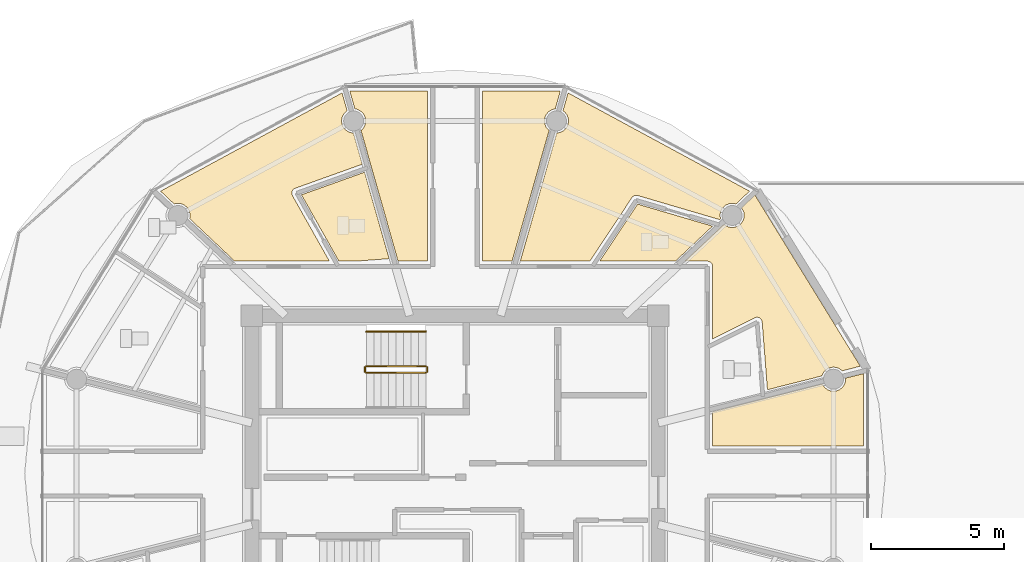
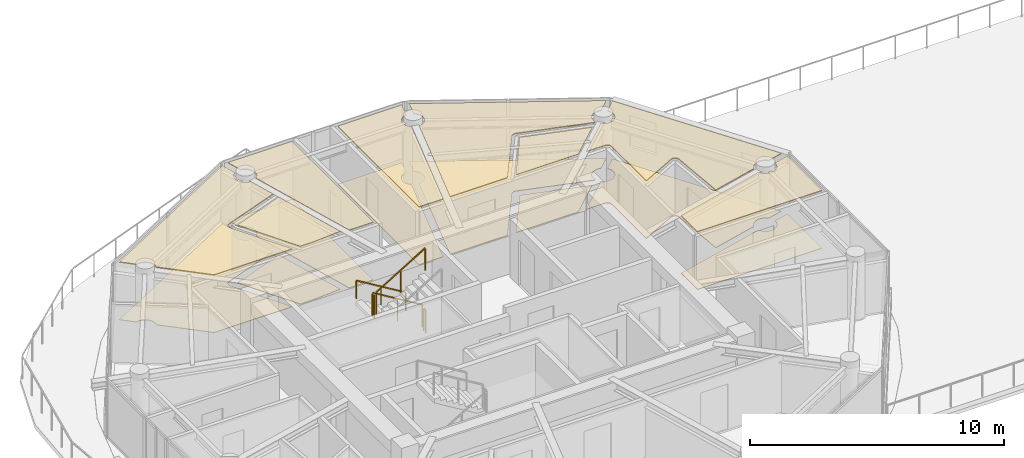
# One storey, part 23 of 30: 16 coverings, 5 railings.
"""IFC4 building model written with IfcOpenShell, lengths in metres."""

from ifc_helpers import new_model, si_unit, direction, frame, origin, origin_2d, place, context, subcontext, project, spatial, polyline, rectangle, outline, extrude, material, layer, layer_set, type_object, element, save


model = new_model("IFC4")

# Units and contexts
model_context = context("Model", 3, precision=1e-05, world=origin(), true_north=direction((0.0, 1.0)))
body_context = subcontext(model_context, "Body", "Model", "MODEL_VIEW")
ifc_project = project(units=[si_unit("LENGTHUNIT", "METRE"), si_unit("AREAUNIT", "SQUARE_METRE"), si_unit("VOLUMEUNIT", "CUBIC_METRE"), si_unit("PLANEANGLEUNIT", "RADIAN"), si_unit("MASSUNIT", "GRAM", prefix="KILO")], contexts=[model_context])

# Site, building, storey
site_placement = place(None, origin())
site = spatial("IfcSite", under=ifc_project, at=site_placement, CompositionType="ELEMENT")
building_placement = place(site_placement, origin())
building = spatial("IfcBuilding", under=site, at=building_placement, Name="Norrkilde Senior Care Towers", CompositionType="ELEMENT")
storey_placement = place(building_placement, frame((0.0, 0.0, 232.199951171875)))
storey = spatial("IfcBuildingStorey", under=building, at=storey_placement, Name="L72", CompositionType="ELEMENT", Elevation=232.199951171875)

# Coverings
ifc_material_1 = material(Name="Nordic Ash Timber", Category="wood")
ifc_layer_1 = layer(ifc_material_1, 0.044921875)
ifc_layer_set_1 = layer_set([ifc_layer_1], Name="Nordic Ash Timber")
covering_type_1 = type_object("IfcCoveringType", Name="Acoustic Ash Timber Slatted Ceiling 45", PredefinedType="CEILING", material=ifc_layer_set_1)
covering_1_placement = place(storey_placement, frame((0.0, 0.0, 2.76513671875)))
element("IfcCovering", 1, at=covering_1_placement, inside=storey, type_object=covering_type_1, Name="L72 Suspended Ceiling 0426", PredefinedType="CEILING", context=body_context, shape_type="SweptSolid", body=[
    extrude(outline(polyline([(-29.0400390625, 14.407470703125), (-29.0400390625, 8.0), (-30.144775390625, 8.0), (-31.541748046875, 12.924560546875), (-31.495849609375, 12.959716796875), (-31.423583984375, 13.053955078125), (-31.378173828125, 13.163818359375), (-31.362548828125, 13.281494140625), (-31.378173828125, 13.399169921875), (-31.423583984375, 13.509033203125), (-31.495849609375, 13.603271484375), (-31.590087890625, 13.675537109375), (-31.69970703125, 13.720947265625), (-31.770263671875, 13.730224609375), (-31.96240234375, 14.407470703125), (-29.0400390625, 14.407470703125)])), origin(), (0.0, 0.0, 1.0), 0.044921875),
])
covering_2_placement = place(storey_placement, frame((0.0, 0.0, 2.76513671875)))
element("IfcCovering", 2, at=covering_2_placement, inside=storey, type_object=covering_type_1, Name="L72 Suspended Ceiling 0427", PredefinedType="CEILING", context=body_context, shape_type="SweptSolid", body=[
    extrude(outline(polyline([(-24.03759765625, 14.407470703125), (-24.229736328125, 13.730224609375), (-24.30029296875, 13.720947265625), (-24.409912109375, 13.675537109375), (-24.504150390625, 13.603271484375), (-24.576416015625, 13.509033203125), (-24.621826171875, 13.399169921875), (-24.637451171875, 13.281494140625), (-24.621826171875, 13.163818359375), (-24.576416015625, 13.053955078125), (-24.504150390625, 12.959716796875), (-24.458251953125, 12.924560546875), (-25.855224609375, 8.0), (-26.9599609375, 8.0), (-26.9599609375, 14.407470703125), (-24.03759765625, 14.407470703125)])), origin(), (0.0, 0.0, 1.0), 0.044921875),
])
covering_3_placement = place(storey_placement, frame((0.0, 0.0, 2.76513671875)))
element("IfcCovering", 3, at=covering_3_placement, inside=storey, type_object=covering_type_1, Name="L72 Suspended Ceiling 0429", PredefinedType="CEILING", context=body_context, shape_type="SweptSolid", body=[
    extrude(outline(polyline([(-12.62646484375, 1.0400390625), (-18.300048828125, 1.0400390625), (-18.300048828125, 2.331298828125), (-14.165771484375, 3.377685546875), (-14.146728515625, 3.331298828125), (-14.07421875, 3.237060546875), (-13.97998046875, 3.164794921875), (-13.870361328125, 3.119384765625), (-13.752685546875, 3.103759765625), (-13.634765625, 3.119384765625), (-13.525146484375, 3.164794921875), (-13.430908203125, 3.237060546875), (-13.358642578125, 3.331298828125), (-13.31298828125, 3.44091796875), (-13.297607421875, 3.558837890625), (-13.302490234375, 3.59619140625), (-12.62646484375, 3.76708984375), (-12.62646484375, 1.0400390625)])), origin(), (0.0, 0.0, 1.0), 0.044921875),
])
covering_4_placement = place(storey_placement, frame((0.0, 0.0, 2.76513671875)))
element("IfcCovering", 4, at=covering_4_placement, inside=storey, type_object=covering_type_1, Name="L72 Suspended Ceiling 0430", PredefinedType="CEILING", context=body_context, shape_type="SweptSolid", body=[
    extrude(outline(polyline([(-16.4443359375, 5.7470703125), (-16.447509765625, 5.758544921875), (-16.44970703125, 5.764892578125), (-16.453857421875, 5.77587890625), (-16.456787109375, 5.7822265625), (-16.4619140625, 5.792724609375), (-16.46533203125, 5.798583984375), (-16.4716796875, 5.80859375), (-16.4755859375, 5.814208984375), (-16.48291015625, 5.8232421875), (-16.4873046875, 5.82861328125), (-16.49560546875, 5.8369140625), (-16.50048828125, 5.841796875), (-16.50927734375, 5.849365234375), (-16.514892578125, 5.853515625), (-16.5244140625, 5.8603515625), (-16.5302734375, 5.864013671875), (-16.54052734375, 5.86962890625), (-16.546630859375, 5.872802734375), (-16.557373046875, 5.87744140625), (-16.563720703125, 5.880126953125), (-16.574951171875, 5.8837890625), (-16.58154296875, 5.885498046875), (-16.5927734375, 5.88818359375), (-16.599609375, 5.88916015625), (-16.611328125, 5.890625), (-16.6181640625, 5.89111328125), (-16.6298828125, 5.891357421875), (-16.63671875, 5.891357421875), (-16.6484375, 5.890380859375), (-16.6552734375, 5.8896484375), (-16.666748046875, 5.8876953125), (-16.673583984375, 5.88623046875), (-16.684814453125, 5.883056640625), (-16.69140625, 5.880859375), (-16.7021484375, 5.876708984375), (-16.70849609375, 5.873779296875), (-16.7138671875, 5.871337890625), (-18.300048828125, 5.076171875), (-18.300048828125, 7.800048828125), (-18.300048828125, 7.805908203125), (-18.300537109375, 7.813720703125), (-18.3017578125, 7.825439453125), (-18.302734375, 7.833251953125), (-18.30517578125, 7.8447265625), (-18.30712890625, 7.852294921875), (-18.310546875, 7.86376953125), (-18.31298828125, 7.87109375), (-18.317626953125, 7.8818359375), (-18.321044921875, 7.888916015625), (-18.326416015625, 7.8994140625), (-18.33056640625, 7.90625), (-18.337158203125, 7.916015625), (-18.341796875, 7.92236328125), (-18.34912109375, 7.931396484375), (-18.3544921875, 7.937255859375), (-18.36279296875, 7.945556640625), (-18.36865234375, 7.95068359375), (-18.377685546875, 7.958251953125), (-18.384033203125, 7.962890625), (-18.393798828125, 7.969482421875), (-18.400634765625, 7.973388671875), (-18.410888671875, 7.97900390625), (-18.41796875, 7.982421875), (-18.428955078125, 7.98681640625), (-18.436279296875, 7.989501953125), (-18.447509765625, 7.992919921875), (-18.455322265625, 7.994873046875), (-18.466796875, 7.9970703125), (-18.474609375, 7.998291015625), (-18.486328125, 7.99951171875), (-18.494140625, 7.999755859375), (-18.5, 8.0), (-19.355712890625, 8.0), (-17.88134765625, 9.392822265625), (-17.797607421875, 9.32861328125), (-17.68798828125, 9.283203125), (-17.570068359375, 9.267822265625), (-17.452392578125, 9.283203125), (-17.3427734375, 9.32861328125), (-17.24853515625, 9.40087890625), (-17.176025390625, 9.4951171875), (-17.130615234375, 9.60498046875), (-17.115234375, 9.72265625), (-17.130615234375, 9.840576171875), (-17.176025390625, 9.9501953125), (-17.224365234375, 10.01318359375), (-16.71337890625, 10.495849609375), (-12.74267578125, 4.04736328125), (-13.426025390625, 3.874267578125), (-13.430908203125, 3.880615234375), (-13.525146484375, 3.952880859375), (-13.634765625, 3.998291015625), (-13.752685546875, 4.013671875), (-13.870361328125, 3.998291015625), (-13.97998046875, 3.952880859375), (-14.07421875, 3.880615234375), (-14.146728515625, 3.786376953125), (-14.190185546875, 3.680908203125), (-16.239990234375, 3.162109375), (-16.439208984375, 5.71630859375), (-16.43994140625, 5.72216796875), (-16.440673828125, 5.72900390625), (-16.44287109375, 5.740478515625), (-16.4443359375, 5.7470703125)])), origin(), (0.0, 0.0, 1.0), 0.044921875),
])
covering_5_placement = place(storey_placement, frame((0.0, 0.0, 2.76513671875)))
element("IfcCovering", 5, at=covering_5_placement, inside=storey, type_object=covering_type_1, Name="L72 Suspended Ceiling 0431", PredefinedType="CEILING", context=body_context, shape_type="SweptSolid", body=[
    extrude(outline(polyline([(-21.150634765625, 10.478759765625), (-21.157470703125, 10.479736328125), (-21.169189453125, 10.48095703125), (-21.176025390625, 10.481201171875), (-21.187744140625, 10.48095703125), (-21.194580078125, 10.480712890625), (-21.206298828125, 10.4794921875), (-21.213134765625, 10.478515625), (-21.224609375, 10.47607421875), (-21.231201171875, 10.474365234375), (-21.242431640625, 10.470947265625), (-21.248779296875, 10.468505859375), (-21.259521484375, 10.4638671875), (-21.265869140625, 10.4609375), (-21.276123046875, 10.455322265625), (-21.281982421875, 10.451904296875), (-21.291748046875, 10.4453125), (-21.297119140625, 10.441162109375), (-21.30615234375, 10.43359375), (-21.311279296875, 10.42919921875), (-21.319580078125, 10.420654296875), (-21.323974609375, 10.41552734375), (-21.33154296875, 10.406494140625), (-21.33544921875, 10.401123046875), (-21.3388671875, 10.396240234375), (-22.9267578125, 8.0), (-25.54345703125, 8.0), (-24.174072265625, 12.82763671875), (-24.064697265625, 12.842041015625), (-23.954833984375, 12.887451171875), (-23.860595703125, 12.959716796875), (-23.788330078125, 13.053955078125), (-23.742919921875, 13.163818359375), (-23.7275390625, 13.281494140625), (-23.742919921875, 13.399169921875), (-23.788330078125, 13.509033203125), (-23.860595703125, 13.603271484375), (-23.937255859375, 13.662109375), (-23.746337890625, 14.335693359375), (-16.91357421875, 10.636962890625), (-17.42724609375, 10.15185546875), (-17.452392578125, 10.162109375), (-17.570068359375, 10.177734375), (-17.68798828125, 10.162109375), (-17.797607421875, 10.11669921875), (-17.891845703125, 10.04443359375), (-17.964111328125, 9.9501953125), (-18.009765625, 9.840576171875), (-18.025146484375, 9.72265625), (-18.009765625, 9.60498046875), (-18.0087890625, 9.6025390625), (-18.046630859375, 9.56689453125), (-21.126953125, 10.4736328125), (-21.132568359375, 10.47509765625), (-21.13916015625, 10.4765625), (-21.150634765625, 10.478759765625)])), origin(), (0.0, 0.0, 1.0), 0.044921875),
])
covering_6_placement = place(storey_placement, frame((0.0, 0.0, 2.76513671875)))
element("IfcCovering", 6, at=covering_6_placement, inside=storey, type_object=covering_type_1, Name="L72 Suspended Ceiling 0433", PredefinedType="CEILING", context=body_context, shape_type="SweptSolid", body=[
    extrude(outline(polyline([(-34.0595703125, 10.7255859375), (-34.065185546875, 10.7216796875), (-34.074462890625, 10.71484375), (-34.079833984375, 10.710693359375), (-34.08837890625, 10.702880859375), (-34.09326171875, 10.6982421875), (-34.10107421875, 10.689697265625), (-34.10546875, 10.684326171875), (-34.1123046875, 10.675048828125), (-34.1162109375, 10.66943359375), (-34.122314453125, 10.65966796875), (-34.12548828125, 10.65380859375), (-34.130615234375, 10.643310546875), (-34.13330078125, 10.63720703125), (-34.13720703125, 10.626220703125), (-34.139404296875, 10.619873046875), (-34.142333984375, 10.608642578125), (-34.143798828125, 10.60205078125), (-34.1455078125, 10.590576171875), (-34.146484375, 10.583740234375), (-34.147216796875, 10.572265625), (-34.147216796875, 10.5654296875), (-34.14697265625, 10.553955078125), (-34.146484375, 10.547119140625), (-34.14501953125, 10.53564453125), (-34.143798828125, 10.529052734375), (-34.14111328125, 10.517578125), (-34.139404296875, 10.51123046875), (-34.1357421875, 10.500244140625), (-34.13330078125, 10.493896484375), (-34.128662109375, 10.483154296875), (-34.12548828125, 10.47705078125), (-34.122802734375, 10.471923828125), (-32.72900390625, 8.0), (-36.294677734375, 8.0), (-37.9912109375, 9.6025390625), (-37.990234375, 9.60498046875), (-37.974853515625, 9.72265625), (-37.990234375, 9.840576171875), (-38.035888671875, 9.9501953125), (-38.108154296875, 10.04443359375), (-38.202392578125, 10.11669921875), (-38.31201171875, 10.162109375), (-38.429931640625, 10.177734375), (-38.547607421875, 10.162109375), (-38.57275390625, 10.15185546875), (-39.08642578125, 10.636962890625), (-32.253662109375, 14.335693359375), (-32.062744140625, 13.662109375), (-32.139404296875, 13.603271484375), (-32.211669921875, 13.509033203125), (-32.257080078125, 13.399169921875), (-32.2724609375, 13.281494140625), (-32.257080078125, 13.163818359375), (-32.211669921875, 13.053955078125), (-32.139404296875, 12.959716796875), (-32.045166015625, 12.887451171875), (-31.935302734375, 12.842041015625), (-31.825927734375, 12.82763671875), (-31.491943359375, 11.650634765625), (-34.021484375, 10.744140625), (-34.02685546875, 10.7421875), (-34.033203125, 10.739501953125), (-34.043701171875, 10.734619140625), (-34.049560546875, 10.7314453125), (-34.0595703125, 10.7255859375)])), origin(), (0.0, 0.0, 1.0), 0.044921875),
])
ifc_material_2 = material(Name="Gypsum Acoustic Board")
ifc_layer_2 = layer(ifc_material_2, 0.030029296875)
ifc_layer_set_2 = layer_set([ifc_layer_2], Name="Gypsum Acoustic Board")
covering_type_2 = type_object("IfcCoveringType", Name="Medical Cleanable Gypsum Ceiling 30", PredefinedType="CEILING", material=ifc_layer_set_2)
covering_7_placement = place(storey_placement, frame((0.0, 0.0, 2.780029296875)))
element("IfcCovering", 7, at=covering_7_placement, inside=storey, type_object=covering_type_2, Name="L72 Suspended Ceiling 0432", PredefinedType="CEILING", context=body_context, shape_type="SweptSolid", body=[
    extrude(outline(polyline([(-18.307373046875, 9.3203125), (-19.705322265625, 8.0), (-22.554931640625, 8.0), (-21.12939453125, 10.151123046875), (-18.307373046875, 9.3203125)])), origin(), (0.0, 0.0, 1.0), 0.030029296875),
])
covering_8_placement = place(storey_placement, frame((0.0, 0.0, 2.780029296875)))
element("IfcCovering", 8, at=covering_8_placement, inside=storey, type_object=covering_type_2, Name="L72 Suspended Ceiling 0434", PredefinedType="CEILING", context=body_context, shape_type="SweptSolid", body=[
    extrude(outline(polyline([(-33.782958984375, 10.50048828125), (-31.4072265625, 11.3515625), (-30.483642578125, 8.095458984375), (-31.75390625, 8.0), (-32.373046875, 8.0), (-33.782958984375, 10.50048828125)])), origin(), (0.0, 0.0, 1.0), 0.030029296875),
])
ifc_material_3 = material(Name="Slip-Resistant Porcelain Stone", Category="masonry")
ifc_layer_3 = layer(ifc_material_3, 0.02490234375)
ifc_layer_set_3 = layer_set([ifc_layer_3], Name="Slip-Resistant Porcelain Stone")
covering_type_3 = type_object("IfcCoveringType", Name="Slip-Resistant Porcelain Flooring 25", PredefinedType="FLOORING", material=ifc_layer_set_3)
covering_9_placement = place(storey_placement, origin())
element("IfcCovering", 9, at=covering_9_placement, inside=storey, type_object=covering_type_3, Name="L72 Floor Finish 0426", PredefinedType="FLOORING", context=body_context, shape_type="SweptSolid", body=[
    extrude(outline(polyline([(-29.0400390625, 14.407470703125), (-29.0400390625, 8.0), (-30.144775390625, 8.0), (-31.541748046875, 12.924560546875), (-31.495849609375, 12.959716796875), (-31.423583984375, 13.053955078125), (-31.378173828125, 13.163818359375), (-31.362548828125, 13.281494140625), (-31.378173828125, 13.399169921875), (-31.423583984375, 13.509033203125), (-31.495849609375, 13.603271484375), (-31.590087890625, 13.675537109375), (-31.69970703125, 13.720947265625), (-31.770263671875, 13.730224609375), (-31.96240234375, 14.407470703125), (-29.0400390625, 14.407470703125)])), origin(), (0.0, 0.0, 1.0), 0.025146484375),
])
covering_10_placement = place(storey_placement, origin())
element("IfcCovering", 10, at=covering_10_placement, inside=storey, type_object=covering_type_3, Name="L72 Floor Finish 0427", PredefinedType="FLOORING", context=body_context, shape_type="SweptSolid", body=[
    extrude(outline(polyline([(-24.03759765625, 14.407470703125), (-24.229736328125, 13.730224609375), (-24.30029296875, 13.720947265625), (-24.409912109375, 13.675537109375), (-24.504150390625, 13.603271484375), (-24.576416015625, 13.509033203125), (-24.621826171875, 13.399169921875), (-24.637451171875, 13.281494140625), (-24.621826171875, 13.163818359375), (-24.576416015625, 13.053955078125), (-24.504150390625, 12.959716796875), (-24.458251953125, 12.924560546875), (-25.855224609375, 8.0), (-26.9599609375, 8.0), (-26.9599609375, 14.407470703125), (-24.03759765625, 14.407470703125)])), origin(), (0.0, 0.0, 1.0), 0.025146484375),
])
covering_11_placement = place(storey_placement, origin())
element("IfcCovering", 11, at=covering_11_placement, inside=storey, type_object=covering_type_3, Name="L72 Floor Finish 0429", PredefinedType="FLOORING", context=body_context, shape_type="SweptSolid", body=[
    extrude(outline(polyline([(-12.62646484375, 1.0400390625), (-18.300048828125, 1.0400390625), (-18.300048828125, 2.331298828125), (-14.165771484375, 3.377685546875), (-14.146728515625, 3.331298828125), (-14.07421875, 3.237060546875), (-13.97998046875, 3.164794921875), (-13.870361328125, 3.119384765625), (-13.752685546875, 3.103759765625), (-13.634765625, 3.119384765625), (-13.525146484375, 3.164794921875), (-13.430908203125, 3.237060546875), (-13.358642578125, 3.331298828125), (-13.31298828125, 3.44091796875), (-13.297607421875, 3.558837890625), (-13.302490234375, 3.59619140625), (-12.62646484375, 3.76708984375), (-12.62646484375, 1.0400390625)])), origin(), (0.0, 0.0, 1.0), 0.025146484375),
])
covering_12_placement = place(storey_placement, origin())
element("IfcCovering", 12, at=covering_12_placement, inside=storey, type_object=covering_type_3, Name="L72 Floor Finish 0430", PredefinedType="FLOORING", context=body_context, shape_type="SweptSolid", body=[
    extrude(outline(polyline([(-16.4443359375, 5.7470703125), (-16.447509765625, 5.758544921875), (-16.44970703125, 5.764892578125), (-16.453857421875, 5.77587890625), (-16.456787109375, 5.7822265625), (-16.4619140625, 5.792724609375), (-16.46533203125, 5.798583984375), (-16.4716796875, 5.80859375), (-16.4755859375, 5.814208984375), (-16.48291015625, 5.8232421875), (-16.4873046875, 5.82861328125), (-16.49560546875, 5.8369140625), (-16.50048828125, 5.841796875), (-16.50927734375, 5.849365234375), (-16.514892578125, 5.853515625), (-16.5244140625, 5.8603515625), (-16.5302734375, 5.864013671875), (-16.54052734375, 5.86962890625), (-16.546630859375, 5.872802734375), (-16.557373046875, 5.87744140625), (-16.563720703125, 5.880126953125), (-16.574951171875, 5.8837890625), (-16.58154296875, 5.885498046875), (-16.5927734375, 5.88818359375), (-16.599609375, 5.88916015625), (-16.611328125, 5.890625), (-16.6181640625, 5.89111328125), (-16.6298828125, 5.891357421875), (-16.63671875, 5.891357421875), (-16.6484375, 5.890380859375), (-16.6552734375, 5.8896484375), (-16.666748046875, 5.8876953125), (-16.673583984375, 5.88623046875), (-16.684814453125, 5.883056640625), (-16.69140625, 5.880859375), (-16.7021484375, 5.876708984375), (-16.70849609375, 5.873779296875), (-16.7138671875, 5.871337890625), (-18.300048828125, 5.076171875), (-18.300048828125, 7.800048828125), (-18.300048828125, 7.805908203125), (-18.300537109375, 7.813720703125), (-18.3017578125, 7.825439453125), (-18.302734375, 7.833251953125), (-18.30517578125, 7.8447265625), (-18.30712890625, 7.852294921875), (-18.310546875, 7.86376953125), (-18.31298828125, 7.87109375), (-18.317626953125, 7.8818359375), (-18.321044921875, 7.888916015625), (-18.326416015625, 7.8994140625), (-18.33056640625, 7.90625), (-18.337158203125, 7.916015625), (-18.341796875, 7.92236328125), (-18.34912109375, 7.931396484375), (-18.3544921875, 7.937255859375), (-18.36279296875, 7.945556640625), (-18.36865234375, 7.95068359375), (-18.377685546875, 7.958251953125), (-18.384033203125, 7.962890625), (-18.393798828125, 7.969482421875), (-18.400634765625, 7.973388671875), (-18.410888671875, 7.97900390625), (-18.41796875, 7.982421875), (-18.428955078125, 7.98681640625), (-18.436279296875, 7.989501953125), (-18.447509765625, 7.992919921875), (-18.455322265625, 7.994873046875), (-18.466796875, 7.9970703125), (-18.474609375, 7.998291015625), (-18.486328125, 7.99951171875), (-18.494140625, 7.999755859375), (-18.5, 8.0), (-19.355712890625, 8.0), (-17.88134765625, 9.392822265625), (-17.797607421875, 9.32861328125), (-17.68798828125, 9.283203125), (-17.570068359375, 9.267822265625), (-17.452392578125, 9.283203125), (-17.3427734375, 9.32861328125), (-17.24853515625, 9.40087890625), (-17.176025390625, 9.4951171875), (-17.130615234375, 9.60498046875), (-17.115234375, 9.72265625), (-17.130615234375, 9.840576171875), (-17.176025390625, 9.9501953125), (-17.224365234375, 10.01318359375), (-16.71337890625, 10.495849609375), (-12.74267578125, 4.04736328125), (-13.426025390625, 3.874267578125), (-13.430908203125, 3.880615234375), (-13.525146484375, 3.952880859375), (-13.634765625, 3.998291015625), (-13.752685546875, 4.013671875), (-13.870361328125, 3.998291015625), (-13.97998046875, 3.952880859375), (-14.07421875, 3.880615234375), (-14.146728515625, 3.786376953125), (-14.190185546875, 3.680908203125), (-16.239990234375, 3.162109375), (-16.439208984375, 5.71630859375), (-16.43994140625, 5.72216796875), (-16.440673828125, 5.72900390625), (-16.44287109375, 5.740478515625), (-16.4443359375, 5.7470703125)])), origin(), (0.0, 0.0, 1.0), 0.025146484375),
])
covering_13_placement = place(storey_placement, origin())
element("IfcCovering", 13, at=covering_13_placement, inside=storey, type_object=covering_type_3, Name="L72 Floor Finish 0431", PredefinedType="FLOORING", context=body_context, shape_type="SweptSolid", body=[
    extrude(outline(polyline([(-21.150634765625, 10.478759765625), (-21.157470703125, 10.479736328125), (-21.169189453125, 10.48095703125), (-21.176025390625, 10.481201171875), (-21.187744140625, 10.48095703125), (-21.194580078125, 10.480712890625), (-21.206298828125, 10.4794921875), (-21.213134765625, 10.478515625), (-21.224609375, 10.47607421875), (-21.231201171875, 10.474365234375), (-21.242431640625, 10.470947265625), (-21.248779296875, 10.468505859375), (-21.259521484375, 10.4638671875), (-21.265869140625, 10.4609375), (-21.276123046875, 10.455322265625), (-21.281982421875, 10.451904296875), (-21.291748046875, 10.4453125), (-21.297119140625, 10.441162109375), (-21.30615234375, 10.43359375), (-21.311279296875, 10.42919921875), (-21.319580078125, 10.420654296875), (-21.323974609375, 10.41552734375), (-21.33154296875, 10.406494140625), (-21.33544921875, 10.401123046875), (-21.3388671875, 10.396240234375), (-22.9267578125, 8.0), (-25.54345703125, 8.0), (-24.174072265625, 12.82763671875), (-24.064697265625, 12.842041015625), (-23.954833984375, 12.887451171875), (-23.860595703125, 12.959716796875), (-23.788330078125, 13.053955078125), (-23.742919921875, 13.163818359375), (-23.7275390625, 13.281494140625), (-23.742919921875, 13.399169921875), (-23.788330078125, 13.509033203125), (-23.860595703125, 13.603271484375), (-23.937255859375, 13.662109375), (-23.746337890625, 14.335693359375), (-16.91357421875, 10.636962890625), (-17.42724609375, 10.15185546875), (-17.452392578125, 10.162109375), (-17.570068359375, 10.177734375), (-17.68798828125, 10.162109375), (-17.797607421875, 10.11669921875), (-17.891845703125, 10.04443359375), (-17.964111328125, 9.9501953125), (-18.009765625, 9.840576171875), (-18.025146484375, 9.72265625), (-18.009765625, 9.60498046875), (-18.0087890625, 9.6025390625), (-18.046630859375, 9.56689453125), (-21.126953125, 10.4736328125), (-21.132568359375, 10.47509765625), (-21.13916015625, 10.4765625), (-21.150634765625, 10.478759765625)])), origin(), (0.0, 0.0, 1.0), 0.025146484375),
])
covering_14_placement = place(storey_placement, origin())
element("IfcCovering", 14, at=covering_14_placement, inside=storey, type_object=covering_type_3, Name="L72 Floor Finish 0432", PredefinedType="FLOORING", context=body_context, shape_type="SweptSolid", body=[
    extrude(outline(polyline([(-18.307373046875, 9.3203125), (-19.705322265625, 8.0), (-22.554931640625, 8.0), (-21.12939453125, 10.151123046875), (-18.307373046875, 9.3203125)])), origin(), (0.0, 0.0, 1.0), 0.025146484375),
])
covering_15_placement = place(storey_placement, origin())
element("IfcCovering", 15, at=covering_15_placement, inside=storey, type_object=covering_type_3, Name="L72 Floor Finish 0433", PredefinedType="FLOORING", context=body_context, shape_type="SweptSolid", body=[
    extrude(outline(polyline([(-34.0595703125, 10.7255859375), (-34.065185546875, 10.7216796875), (-34.074462890625, 10.71484375), (-34.079833984375, 10.710693359375), (-34.08837890625, 10.702880859375), (-34.09326171875, 10.6982421875), (-34.10107421875, 10.689697265625), (-34.10546875, 10.684326171875), (-34.1123046875, 10.675048828125), (-34.1162109375, 10.66943359375), (-34.122314453125, 10.65966796875), (-34.12548828125, 10.65380859375), (-34.130615234375, 10.643310546875), (-34.13330078125, 10.63720703125), (-34.13720703125, 10.626220703125), (-34.139404296875, 10.619873046875), (-34.142333984375, 10.608642578125), (-34.143798828125, 10.60205078125), (-34.1455078125, 10.590576171875), (-34.146484375, 10.583740234375), (-34.147216796875, 10.572265625), (-34.147216796875, 10.5654296875), (-34.14697265625, 10.553955078125), (-34.146484375, 10.547119140625), (-34.14501953125, 10.53564453125), (-34.143798828125, 10.529052734375), (-34.14111328125, 10.517578125), (-34.139404296875, 10.51123046875), (-34.1357421875, 10.500244140625), (-34.13330078125, 10.493896484375), (-34.128662109375, 10.483154296875), (-34.12548828125, 10.47705078125), (-34.122802734375, 10.471923828125), (-32.72900390625, 8.0), (-36.294677734375, 8.0), (-37.9912109375, 9.6025390625), (-37.990234375, 9.60498046875), (-37.974853515625, 9.72265625), (-37.990234375, 9.840576171875), (-38.035888671875, 9.9501953125), (-38.108154296875, 10.04443359375), (-38.202392578125, 10.11669921875), (-38.31201171875, 10.162109375), (-38.429931640625, 10.177734375), (-38.547607421875, 10.162109375), (-38.57275390625, 10.15185546875), (-39.08642578125, 10.636962890625), (-32.253662109375, 14.335693359375), (-32.062744140625, 13.662109375), (-32.139404296875, 13.603271484375), (-32.211669921875, 13.509033203125), (-32.257080078125, 13.399169921875), (-32.2724609375, 13.281494140625), (-32.257080078125, 13.163818359375), (-32.211669921875, 13.053955078125), (-32.139404296875, 12.959716796875), (-32.045166015625, 12.887451171875), (-31.935302734375, 12.842041015625), (-31.825927734375, 12.82763671875), (-31.491943359375, 11.650634765625), (-34.021484375, 10.744140625), (-34.02685546875, 10.7421875), (-34.033203125, 10.739501953125), (-34.043701171875, 10.734619140625), (-34.049560546875, 10.7314453125), (-34.0595703125, 10.7255859375)])), origin(), (0.0, 0.0, 1.0), 0.025146484375),
])
covering_16_placement = place(storey_placement, origin())
element("IfcCovering", 16, at=covering_16_placement, inside=storey, type_object=covering_type_3, Name="L72 Floor Finish 0434", PredefinedType="FLOORING", context=body_context, shape_type="SweptSolid", body=[
    extrude(outline(polyline([(-33.782958984375, 10.50048828125), (-31.4072265625, 11.3515625), (-30.483642578125, 8.095458984375), (-31.75390625, 8.0), (-32.373046875, 8.0), (-33.782958984375, 10.50048828125)])), origin(), (0.0, 0.0, 1.0), 0.025146484375),
])

# Railings
ifc_material_4 = material(Name="Stainless Steel", Category="steel")
railing_type_1 = type_object("IfcRailingType", Name="Stair and Terrace Guardrail 1100", PredefinedType="GUARDRAIL", material=ifc_material_4)
railing_1_placement = place(storey_placement, frame((-29.10009765625, 4.050048828125, 0.16943359375)))
element("IfcRailing", 17, at=railing_1_placement, inside=storey, type_object=railing_type_1, Name="L72 ST-W1 stair guard 1", PredefinedType="GUARDRAIL", context=body_context, shape_type="SweptSolid", body=[
    extrude(rectangle(XDim=0.048095703125, YDim=0.048095703125, at=origin_2d()), frame((0.0, 0.0, 1.076171875), z_axis=(-0.855512035549, 0.0, 0.517782924622), x_axis=(0.0, -1.0, 0.0)), (0.0, 0.0, 1.0), 2.618408203125),
    extrude(rectangle(XDim=0.0419921875, YDim=0.0419921875, at=origin_2d()), origin(), (0.0, 0.0, 1.0), 1.050048828125),
    extrude(rectangle(XDim=0.0419921875, YDim=0.0419921875, at=origin_2d()), frame((-1.1201171875, 0.0, 0.677734375)), (0.0, 0.0, 1.0), 1.050048828125),
    extrude(rectangle(XDim=0.0419921875, YDim=0.0419921875, at=origin_2d()), frame((-2.239990234375, 0.0, 1.355712890625)), (0.0, 0.0, 1.0), 1.050048828125),
])
railing_2_placement = place(storey_placement, frame((-31.389892578125, 4.0, 1.525146484375)))
element("IfcRailing", 18, at=railing_2_placement, inside=storey, type_object=railing_type_1, Name="L72 ST-W1 stair guard 2", PredefinedType="GUARDRAIL", context=body_context, shape_type="SweptSolid", body=[
    extrude(rectangle(XDim=0.048095703125, YDim=0.048095703125, at=origin_2d()), frame((0.0, 0.0, 1.076171875), z_axis=(0.0, -1.0, 0.0), x_axis=(1.0, 0.0, 0.0)), (0.0, 0.0, 1.0), 0.14990234375),
    extrude(rectangle(XDim=0.0419921875, YDim=0.0419921875, at=origin_2d()), origin(), (0.0, 0.0, 1.0), 1.050048828125),
    extrude(rectangle(XDim=0.0419921875, YDim=0.0419921875, at=origin_2d()), frame((0.0, -0.14990234375, 0.0)), (0.0, 0.0, 1.0), 1.050048828125),
])
railing_3_placement = place(storey_placement, frame((-31.340087890625, 3.800048828125, 1.694580078125)))
element("IfcRailing", 19, at=railing_3_placement, inside=storey, type_object=railing_type_1, Name="L72 ST-W1 stair guard 3", PredefinedType="GUARDRAIL", context=body_context, shape_type="SweptSolid", body=[
    extrude(rectangle(XDim=0.048095703125, YDim=0.048095703125, at=origin_2d()), frame((0.0, 0.0, 1.076171875), z_axis=(0.855553338991, 0.0, 0.51771467445), x_axis=(0.0, 1.0, 0.0)), (0.0, 0.0, 1.0), 2.6181640625),
    extrude(rectangle(XDim=0.0419921875, YDim=0.0419921875, at=origin_2d()), origin(), (0.0, 0.0, 1.0), 1.050048828125),
    extrude(rectangle(XDim=0.0419921875, YDim=0.0419921875, at=origin_2d()), frame((1.1201171875, 0.0, 0.677734375)), (0.0, 0.0, 1.0), 1.050048828125),
    extrude(rectangle(XDim=0.0419921875, YDim=0.0419921875, at=origin_2d()), frame((2.239990234375, 0.0, 1.35546875)), (0.0, 0.0, 1.0), 1.050048828125),
])
railing_4_placement = place(storey_placement, frame((-29.050048828125, 4.0, 0.0)))
element("IfcRailing", 20, at=railing_4_placement, inside=storey, type_object=railing_type_1, Name="L72 ST-W1 stair guard 4", PredefinedType="GUARDRAIL", context=body_context, shape_type="SweptSolid", body=[
    extrude(rectangle(XDim=0.048095703125, YDim=0.048095703125, at=origin_2d()), frame((0.0, 0.0, 1.076171875), z_axis=(0.0, -1.0, 0.0), x_axis=(1.0, 0.0, 0.0)), (0.0, 0.0, 1.0), 0.14990234375),
    extrude(rectangle(XDim=0.0419921875, YDim=0.0419921875, at=origin_2d()), origin(), (0.0, 0.0, 1.0), 1.050048828125),
    extrude(rectangle(XDim=0.0419921875, YDim=0.0419921875, at=origin_2d()), frame((0.0, -0.14990234375, 0.0)), (0.0, 0.0, 1.0), 1.050048828125),
])
railing_type_2 = type_object("IfcRailingType", Name="Wall and Stair Handrail 900", PredefinedType="HANDRAIL", material=ifc_material_1)
railing_5_placement = place(storey_placement, frame((-29.10009765625, 5.35009765625, 0.16943359375)))
element("IfcRailing", 21, at=railing_5_placement, inside=storey, type_object=railing_type_2, Name="L72 ST-W1 stair handrail 1", PredefinedType="HANDRAIL", context=body_context, shape_type="SweptSolid", body=[
    extrude(rectangle(XDim=0.048095703125, YDim=0.048095703125, at=origin_2d()), frame((0.0, 0.0, 0.8759765625), z_axis=(-0.855512035549, 0.0, 0.517782924622), x_axis=(0.0, -1.0, 0.0)), (0.0, 0.0, 1.0), 2.618408203125),
    extrude(rectangle(XDim=0.0419921875, YDim=0.0419921875, at=origin_2d()), origin(), (0.0, 0.0, 1.0), 0.849853515625),
    extrude(rectangle(XDim=0.0419921875, YDim=0.0419921875, at=origin_2d()), frame((-1.1201171875, 0.0, 0.677734375)), (0.0, 0.0, 1.0), 0.849853515625),
    extrude(rectangle(XDim=0.0419921875, YDim=0.0419921875, at=origin_2d()), frame((-2.239990234375, 0.0, 1.355712890625)), (0.0, 0.0, 1.0), 0.849853515625),
])

save(model, "model.ifc")
